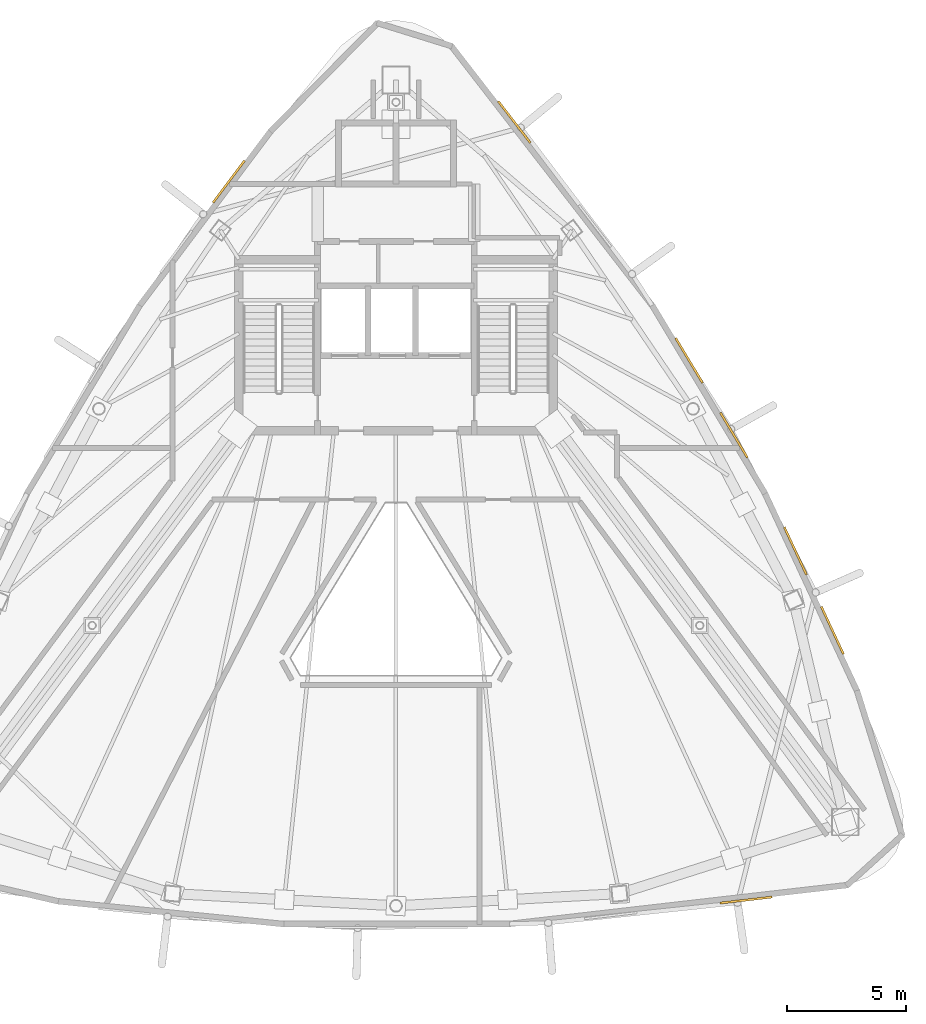
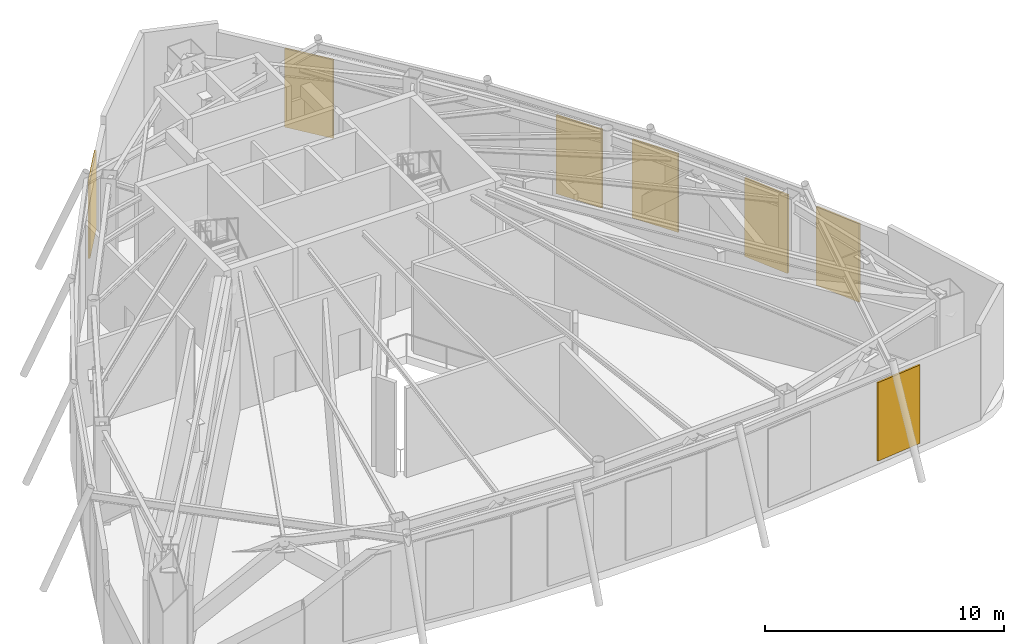
# One storey, part 9 of 9: 7 shading devices.
"""IFC4 building model written with IfcOpenShell, lengths in metres."""

from ifc_helpers import new_model, si_unit, direction, frame, origin, origin_2d, place, context, subcontext, project, spatial, rectangle, extrude, material, layer, layer_set, type_object, element, save


model = new_model("IFC4")

# Units and contexts
model_context = context("Model", 3, precision=1e-05, world=origin(), true_north=direction((0.0, 1.0)))
body_context = subcontext(model_context, "Body", "Model", "MODEL_VIEW")
ifc_project = project(units=[si_unit("LENGTHUNIT", "METRE"), si_unit("AREAUNIT", "SQUARE_METRE"), si_unit("VOLUMEUNIT", "CUBIC_METRE"), si_unit("PLANEANGLEUNIT", "RADIAN"), si_unit("MASSUNIT", "GRAM", prefix="KILO")], contexts=[model_context])

# Site, building, storey
site_placement = place(None, origin())
site = spatial("IfcSite", under=ifc_project, at=site_placement, CompositionType="ELEMENT")
building_placement = place(site_placement, origin())
building = spatial("IfcBuilding", under=site, at=building_placement, Name="Orvanel Arch Residences", CompositionType="ELEMENT")
storey_placement = place(building_placement, frame((0.0, 0.0, 281.0)))
storey = spatial("IfcBuildingStorey", under=building, at=storey_placement, Name="L80", CompositionType="ELEMENT", Elevation=281.0)

# Shading devices
ifc_material = material(Name="Insulated bronze-anodised aluminium spandrel panel", Category="aluminium")
ifc_layer = layer(ifc_material, 0.090087890625)
ifc_layer_set = layer_set([ifc_layer], Name="Insulated bronze-anodised aluminium spandrel panel")
shading_device_type = type_object("IfcShadingDeviceType", Name="LVR-PLT-90", PredefinedType="USERDEFINED", material=ifc_layer_set)
for number, where, z_axis, x_axis, name in (
    (1, (26.0029296875, 37.15087890625, 0.2001953125), (0.0, 0.0, 1.0), (-0.600420225326, -0.799684658487, 0.0), "L80 Mechanical Intake Louvre Panel F1-1"),
    (2, (47.64990234375, 7.083984375, 0.2001953125), (0.0, 0.0, 1.0), (0.9933727656, 0.114937150493, 0.0), "L80 Mechanical Intake Louvre Panel F2-6"),
    (3, (51.262939453125, 18.368896484375, 0.2001953125), (0.0, 0.0, 1.0), (-0.422618261741, 0.906307787037, 0.0), "L80 Mechanical Intake Louvre Panel F3-1"),
    (4, (49.715087890625, 21.69189453125, 0.2001953125), (0.0, 0.0, 1.0), (-0.422618261741, 0.906307787037, 0.0), "L80 Mechanical Intake Louvre Panel F3-2"),
    (5, (47.14111328125, 26.541015625, 0.2001953125), (0.0, 0.0, 1.0), (-0.51503807491, 0.857167300702, 0.0), "L80 Mechanical Intake Louvre Panel F3-3"),
    (6, (45.26611328125, 29.6669921875, 0.2001953125), (0.0, 0.0, 1.0), (-0.51503807491, 0.857167300702, 0.0), "L80 Mechanical Intake Louvre Panel F3-4"),
    (7, (37.949951171875, 39.64501953125, 0.2001953125), (0.0, 0.0, 1.0), (-0.611527040186, 0.791223532967, 0.0), "L80 Mechanical Intake Louvre Panel F3-6"),
):
    element("IfcShadingDevice", number, at=place(storey_placement, frame(where, z_axis=z_axis, x_axis=x_axis)), inside=storey, type_object=shading_device_type, Name=name, ObjectType="LOUVRE", PredefinedType="USERDEFINED", context=body_context, shape_type="SweptSolid", body=[
        extrude(rectangle(XDim=2.199951171875, YDim=0.090087890625, at=origin_2d()), origin(), (0.0, 0.0, 1.0), 4.013916015625),
    ])

save(model, "model.ifc")
